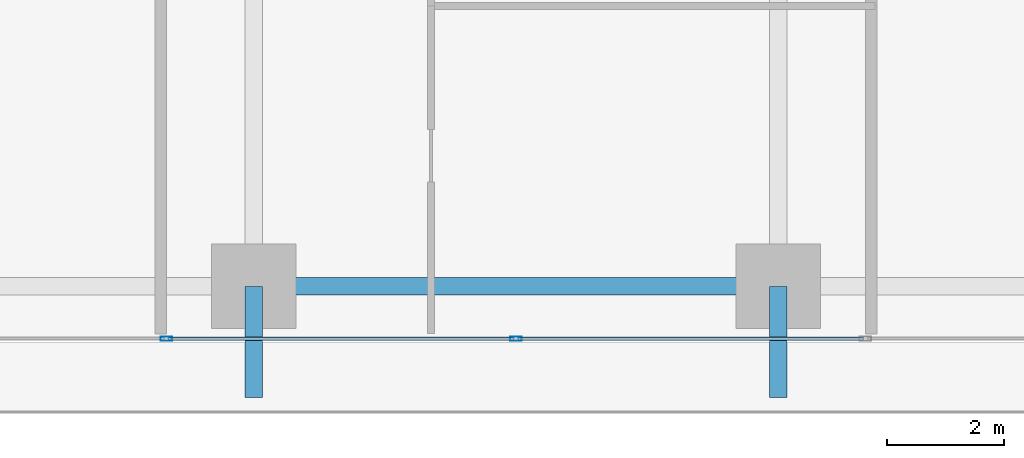
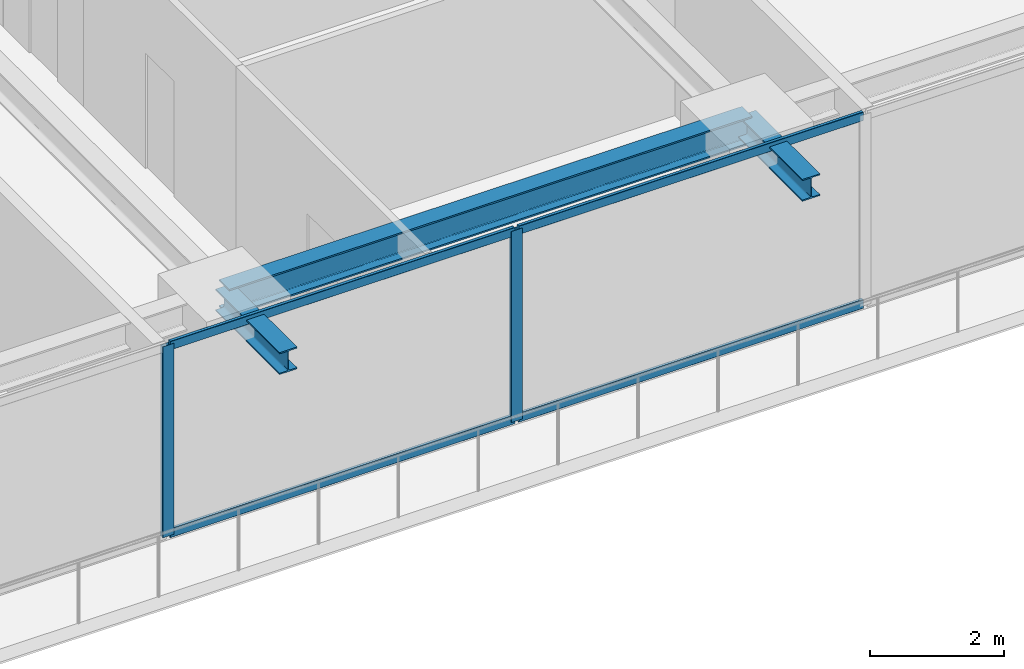
# One storey, part 5 of 37: 6 members, 3 beams, 1 element without a shape of its own.
"""IFC4 building model written with IfcOpenShell, lengths in metres."""

from ifc_helpers import new_model, si_unit, direction, frame, origin, origin_2d, place, context, subcontext, project, spatial, hollow_rectangle, i_section, extrude, source, transform, mapped, material, layer, layer_set, material_profile, profile_set, type_object, element, aggregate, save


model = new_model("IFC4")

# Units and contexts
model_context = context("Model", 3, precision=1e-05, world=origin(), true_north=direction((0.0, 1.0)))
body_context = subcontext(model_context, "Body", "Model", "MODEL_VIEW")
ifc_project = project(units=[si_unit("LENGTHUNIT", "METRE"), si_unit("AREAUNIT", "SQUARE_METRE"), si_unit("VOLUMEUNIT", "CUBIC_METRE"), si_unit("PLANEANGLEUNIT", "RADIAN"), si_unit("MASSUNIT", "GRAM", prefix="KILO")], contexts=[model_context])

# Site, building, storey
site_placement = place(None, origin())
site = spatial("IfcSite", under=ifc_project, at=site_placement, CompositionType="ELEMENT")
building_placement = place(site_placement, origin())
building = spatial("IfcBuilding", under=site, at=building_placement, Name="Serunith Strait Residences", CompositionType="ELEMENT")
storey_placement = place(building_placement, frame((0.0, 0.0, 26.699951171875)))
storey = spatial("IfcBuildingStorey", under=building, at=storey_placement, Name="L05", CompositionType="ELEMENT", Elevation=26.699951171875)

# Beams
ifc_material_1 = material(Name="Steel S355J2", Category="steel")
ifc_material_profile_1 = material_profile(ifc_material_1, i_section(OverallWidth=0.300048828125, OverallDepth=0.5, WebThickness=0.014404296875, FlangeThickness=0.028076171875, FilletRadius=0.027099609375, at=origin_2d()), Name="HEB 500")
ifc_profile_set_1 = profile_set([ifc_material_profile_1], Name="Steel S355J2")
beam_type_1 = type_object("IfcBeamType", Name="BM-HEB500", PredefinedType="BEAM", material=ifc_profile_set_1)
shared_shape_1 = source(origin(), body_context, "Body", "SweptSolid", [
    extrude(i_section(OverallWidth=0.300048828125, OverallDepth=0.5, WebThickness=0.014404296875, FlangeThickness=0.028076171875, FilletRadius=0.027099609375, at=origin_2d()), origin(), (0.0, 0.0, 1.0), 9.0),
])
beam_placement = place(storey_placement, frame((27.89990234375, 1.10009765625, 3.237060546875), z_axis=(1.0, 0.0, 0.0), x_axis=(0.0, 1.0, 0.0)))
element("IfcBeam", 1, at=beam_placement, inside=storey, type_object=beam_type_1, Name="L05 Perimeter Ring Beam 02", PredefinedType="BEAM", context=body_context, shape_type="MappedRepresentation", body=[
    mapped(shared_shape_1, transform((0.0, 0.0, 0.0), scale=1.0)),
])
ifc_material_profile_2 = material_profile(ifc_material_1, i_section(OverallWidth=0.300048828125, OverallDepth=0.39990234375, WebThickness=0.013427734375, FlangeThickness=0.02392578125, FilletRadius=0.027099609375, at=origin_2d()), Name="HEB 400")
ifc_profile_set_2 = profile_set([ifc_material_profile_2], Name="Steel S355J2")
beam_type_2 = type_object("IfcBeamType", Name="BM-HEB400", PredefinedType="BEAM", material=ifc_profile_set_2)
shared_shape_2 = source(origin(), body_context, "Body", "SweptSolid", [
    extrude(i_section(OverallWidth=0.300048828125, OverallDepth=0.39990234375, WebThickness=0.013427734375, FlangeThickness=0.02392578125, FilletRadius=0.027099609375, at=origin_2d()), origin(), (0.0, 0.0, 1.0), 1.91015625),
])
for number, where, z_axis, x_axis, name in (
    (2, (27.89990234375, 1.10009765625, 3.257080078125), (0.0, -1.0, 0.0), (1.0, 0.0, 0.0), "L06 Cantilevered Balcony Rib TC-S2"),
    (3, (36.89990234375, 1.10009765625, 3.257080078125), (0.0, -1.0, 0.0), (1.0, 0.0, 0.0), "L06 Cantilevered Balcony Rib TC-S3"),
):
    element("IfcBeam", number, at=place(storey_placement, frame(where, z_axis=z_axis, x_axis=x_axis)), inside=storey, type_object=beam_type_2, Name=name, PredefinedType="BEAM", context=body_context, shape_type="MappedRepresentation", body=[
        mapped(shared_shape_2, transform((0.0, 0.0, 0.0), scale=1.0)),
    ])

# Curtain wall, members
ifc_material_2 = material(Name="Pale-Champagne Anodised Aluminium", Category="aluminium")
ifc_layer = layer(ifc_material_2, 0.199951171875, Name="Pale-Champagne Anodised Aluminium")
ifc_layer_set = layer_set([ifc_layer], Name="Pale-Champagne Anodised Aluminium")
curtain_wall_type = type_object("IfcCurtainWallType", Name="CW-SYS1", PredefinedType="NOTDEFINED", material=ifc_layer_set)
curtain_wall_placement = place(storey_placement, origin())
curtain_wall = element("IfcCurtainWall", 4, at=curtain_wall_placement, inside=storey, type_object=curtain_wall_type, Name="L05 S Unitised Fritted Curtain Wall", PredefinedType="NOTDEFINED")
ifc_material_profile_3 = material_profile(ifc_material_2, hollow_rectangle(XDim=0.070068359375, YDim=0.199951171875, WallThickness=0.00390625, InnerFilletRadius=0.006103515625, OuterFilletRadius=0.010009765625, at=origin_2d()), Name="ALU 200x70x4")
ifc_profile_set_3 = profile_set([ifc_material_profile_3], Name="Pale-Champagne Anodised Aluminium")
member_type_1 = type_object("IfcMemberType", Name="CW-SYS1-MULL", PredefinedType="MULLION", material=ifc_profile_set_3)
shared_shape_3 = source(origin(), body_context, "Body", "SweptSolid", [
    extrude(hollow_rectangle(XDim=0.070068359375, YDim=0.199951171875, WallThickness=0.00390625, InnerFilletRadius=0.006103515625, OuterFilletRadius=0.010009765625, at=origin_2d()), origin(), (0.0, 0.0, 1.0), 3.47509765625),
])
member_1_placement = place(storey_placement, frame((26.39990234375, 0.199951171875, 0.0), z_axis=(0.0, 0.0, 1.0), x_axis=(0.0, 1.0, 0.0)))
member_1 = element("IfcMember", 5, at=member_1_placement, type_object=member_type_1, Name="CW-1 mullion 3", PredefinedType="MULLION", context=body_context, shape_type="MappedRepresentation", body=[
    mapped(shared_shape_3, transform((0.0, 0.0, 0.0), scale=1.0)),
])
member_2_placement = place(storey_placement, frame((32.39990234375, 0.199951171875, 0.0), z_axis=(0.0, 0.0, 1.0), x_axis=(0.0, 1.0, 0.0)))
member_2 = element("IfcMember", 6, at=member_2_placement, type_object=member_type_1, Name="CW-1 mullion 4", PredefinedType="MULLION", context=body_context, shape_type="MappedRepresentation", body=[
    mapped(shared_shape_3, transform((0.0, 0.0, 0.0), scale=1.0)),
])
ifc_material_profile_4 = material_profile(ifc_material_2, hollow_rectangle(XDim=0.06005859375, YDim=0.159912109375, WallThickness=0.00341796875, InnerFilletRadius=0.00537109375, OuterFilletRadius=0.0087890625, at=origin_2d()), Name="ALU 160x60x3.5")
ifc_profile_set_4 = profile_set([ifc_material_profile_4], Name="Pale-Champagne Anodised Aluminium")
member_type_2 = type_object("IfcMemberType", Name="CW-SYS1-TRAN", PredefinedType="USERDEFINED", material=ifc_profile_set_4)
shared_shape_4 = source(origin(), body_context, "Body", "SweptSolid", [
    extrude(hollow_rectangle(XDim=0.06005859375, YDim=0.159912109375, WallThickness=0.00341796875, InnerFilletRadius=0.00537109375, OuterFilletRadius=0.0087890625, at=origin_2d()), origin(), (0.0, 0.0, 1.0), 5.929931640625),
])
member_3_placement = place(storey_placement, frame((26.43505859375, 0.199951171875, 0.030029296875), z_axis=(1.0, 0.0, 0.0), x_axis=(0.0, 1.0, 0.0)))
member_3 = element("IfcMember", 7, at=member_3_placement, type_object=member_type_2, Name="CW-1 transom 3.1", ObjectType="TRANSOM", PredefinedType="USERDEFINED", context=body_context, shape_type="MappedRepresentation", body=[
    mapped(shared_shape_4, transform((0.0, 0.0, 0.0), scale=1.0)),
])
member_4_placement = place(storey_placement, frame((26.43505859375, 0.199951171875, 3.445068359375), z_axis=(1.0, 0.0, 0.0), x_axis=(0.0, 1.0, 0.0)))
member_4 = element("IfcMember", 8, at=member_4_placement, type_object=member_type_2, Name="CW-1 transom 3.2", ObjectType="TRANSOM", PredefinedType="USERDEFINED", context=body_context, shape_type="MappedRepresentation", body=[
    mapped(shared_shape_4, transform((0.0, 0.0, 0.0), scale=1.0)),
])
member_5_placement = place(storey_placement, frame((32.43505859375, 0.199951171875, 0.030029296875), z_axis=(1.0, 0.0, 0.0), x_axis=(0.0, 1.0, 0.0)))
member_5 = element("IfcMember", 9, at=member_5_placement, type_object=member_type_2, Name="CW-1 transom 4.1", ObjectType="TRANSOM", PredefinedType="USERDEFINED", context=body_context, shape_type="MappedRepresentation", body=[
    mapped(shared_shape_4, transform((0.0, 0.0, 0.0), scale=1.0)),
])
member_6_placement = place(storey_placement, frame((32.43505859375, 0.199951171875, 3.445068359375), z_axis=(1.0, 0.0, 0.0), x_axis=(0.0, 1.0, 0.0)))
member_6 = element("IfcMember", 10, at=member_6_placement, type_object=member_type_2, Name="CW-1 transom 4.2", ObjectType="TRANSOM", PredefinedType="USERDEFINED", context=body_context, shape_type="MappedRepresentation", body=[
    mapped(shared_shape_4, transform((0.0, 0.0, 0.0), scale=1.0)),
])
aggregate(curtain_wall, [member_1, member_2, member_3, member_4, member_5, member_6])

save(model, "model.ifc")
